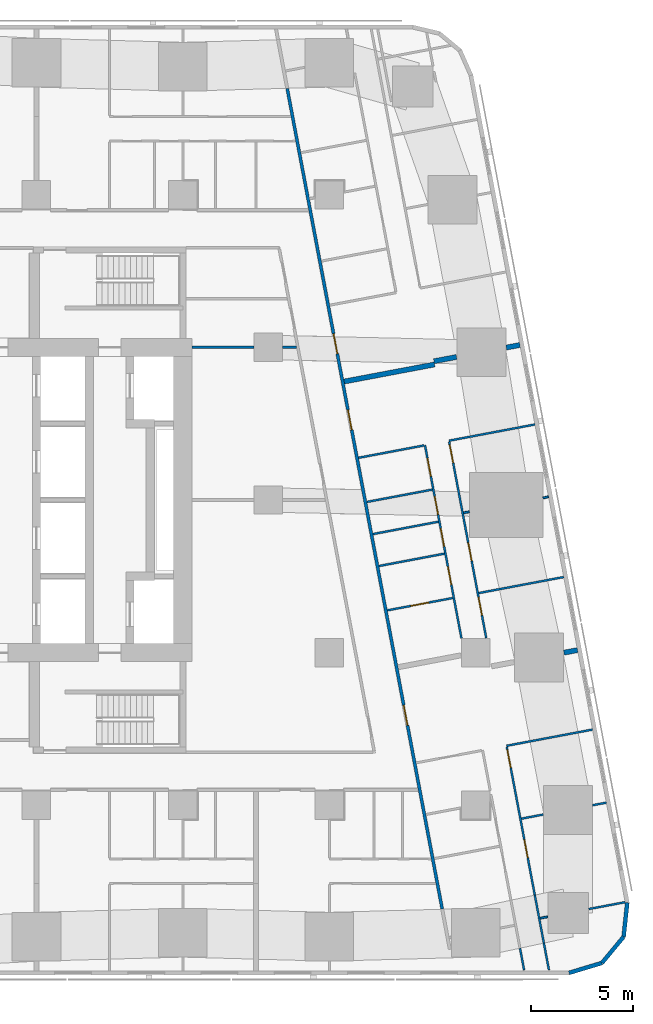
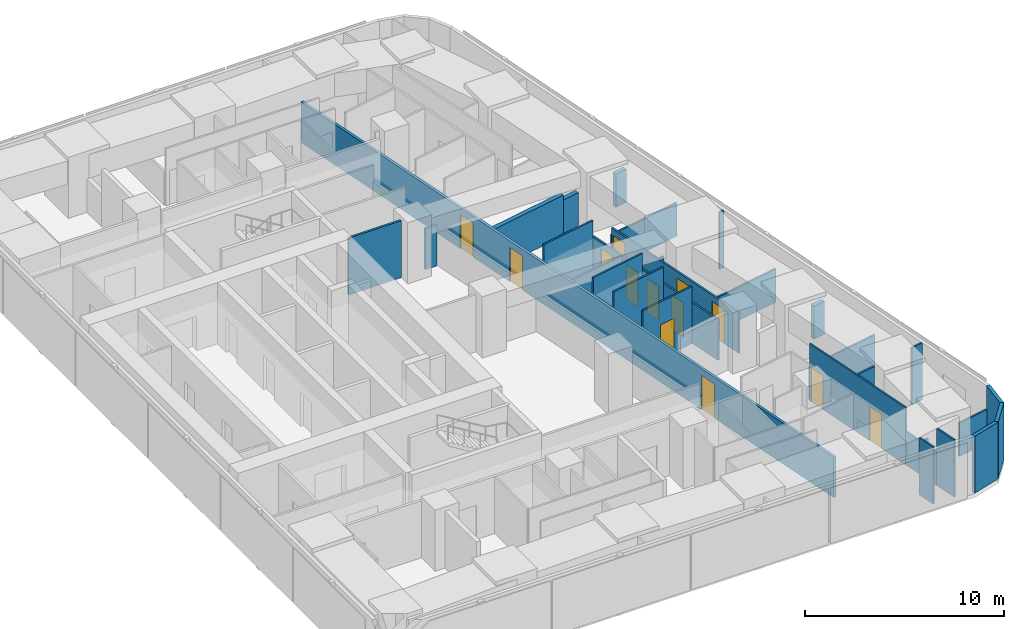
# One storey, part 5 of 10: 30 walls, 13 doors, 13 openings.
"""IFC4 building model written with IfcOpenShell, lengths in metres."""

from ifc_helpers import new_model, si_unit, direction, frame, frame_2d, origin, place, context, subcontext, project, spatial, rectangle, extrude, material, layer, layer_set, type_object, element, fill, save


model = new_model("IFC4")

# Units and contexts
model_context = context("Model", 3, precision=1e-05, world=origin(), true_north=direction((0.0, 1.0)))
body_context = subcontext(model_context, "Body", "Model", "MODEL_VIEW")
ifc_project = project(units=[si_unit("LENGTHUNIT", "METRE"), si_unit("AREAUNIT", "SQUARE_METRE"), si_unit("VOLUMEUNIT", "CUBIC_METRE"), si_unit("PLANEANGLEUNIT", "RADIAN"), si_unit("MASSUNIT", "GRAM", prefix="KILO")], contexts=[model_context])

# Site, building, storey
site_placement = place(None, origin())
site = spatial("IfcSite", under=ifc_project, at=site_placement, CompositionType="ELEMENT")
building_placement = place(site_placement, origin())
building = spatial("IfcBuilding", under=site, at=building_placement, Name="Sheger Commons Tower", CompositionType="ELEMENT")
storey_placement = place(building_placement, frame((0.0, 0.0, 234.949951171875)))
storey = spatial("IfcBuildingStorey", under=building, at=storey_placement, Name="L60", CompositionType="ELEMENT", Elevation=234.949951171875)

# Wall, openings, doors
ifc_material_1 = material(Name="Hollow concrete block masonry, skimmed both sides", Category="masonry")
ifc_layer_1 = layer(ifc_material_1, 0.14990234375)
ifc_layer_set_1 = layer_set([ifc_layer_1], Name="CORRIDOR WALL 150")
wall_type_1 = type_object("IfcWallType", Name="CORRIDOR WALL 150", PredefinedType="SOLIDWALL", material=ifc_layer_set_1)
wall_1_placement = place(storey_placement, frame((33.93310546875, 42.72998046875, 0.0), z_axis=(0.0, 0.0, 1.0), x_axis=(0.185595417643, -0.982626246825, 0.0)))
wall_1 = element("IfcWall", 1, at=wall_1_placement, inside=storey, type_object=wall_type_1, Name="Corridor wall L60", PredefinedType="SOLIDWALL", context=body_context, shape_type="SweptSolid", body=[
    extrude(rectangle(XDim=41.051025390625, YDim=0.14990234375, at=frame_2d((20.525390625, 0.0))), origin(), (0.0, 0.0, 1.0), 2.5),
])
opening_1_placement = place(wall_1_placement, frame((12.26611328125, 0.0, 0.0)))
opening_1 = element("IfcOpeningElement", 2, at=opening_1_placement, cuts=wall_1, Name="Opening D1", PredefinedType="OPENING", context=body_context, shape_type="SweptSolid", body=[
    extrude(rectangle(XDim=1.0, YDim=2.10009765625, at=frame_2d((0.5, 1.050048828125))), frame((0.0, 0.0849609375, 0.0), z_axis=(0.0, -1.0, 0.0), x_axis=(1.0, 0.0, 0.0)), (0.0, 0.0, 1.0), 0.169921875),
])
opening_2_placement = place(wall_1_placement, frame((16.08203125, 0.0, 0.0)))
opening_2 = element("IfcOpeningElement", 3, at=opening_2_placement, cuts=wall_1, Name="Opening D1", PredefinedType="OPENING", context=body_context, shape_type="SweptSolid", body=[
    extrude(rectangle(XDim=1.0, YDim=2.10009765625, at=frame_2d((0.5, 1.050048828125))), frame((0.0, 0.0849609375, 0.0), z_axis=(0.0, -1.0, 0.0), x_axis=(1.0, 0.0, 0.0)), (0.0, 0.0, 1.0), 0.169921875),
])
opening_3_placement = place(wall_1_placement, frame((30.862060546875, 0.0, 0.0)))
opening_3 = element("IfcOpeningElement", 4, at=opening_3_placement, cuts=wall_1, Name="Opening D1", PredefinedType="OPENING", context=body_context, shape_type="SweptSolid", body=[
    extrude(rectangle(XDim=1.0, YDim=2.10009765625, at=frame_2d((0.5, 1.050048828125))), frame((0.0, 0.0849609375, 0.0), z_axis=(0.0, -1.0, 0.0), x_axis=(1.0, 0.0, 0.0)), (0.0, 0.0, 1.0), 0.169921875),
])
ifc_material_2 = material(Name="Steel door set, fire rated", Category="steel")
door_type_1 = type_object("IfcDoorType", Name="FLAT ENTRANCE DOOR 1000x2100", OperationType="NOTDEFINED", PredefinedType="DOOR", material=ifc_material_2)
door_1_placement = place(opening_1_placement, origin())
door_1 = element("IfcDoor", 5, at=door_1_placement, inside=storey, type_object=door_type_1, Name="Flat entrance door", OperationType="SINGLE_SWING_RIGHT", OverallHeight=2.10009765625, OverallWidth=1.0, PredefinedType="DOOR", context=body_context, shape_type="SweptSolid", body=[
    extrude(rectangle(XDim=1.0, YDim=2.10009765625, at=frame_2d((0.5, 1.050048828125))), frame((0.0, 0.02490234375, 0.0), z_axis=(0.0, -1.0, 0.0), x_axis=(1.0, 0.0, 0.0)), (0.0, 0.0, 1.0), 0.050048828125),
])
fill(opening_1, door_1)
door_2_placement = place(opening_2_placement, origin())
door_2 = element("IfcDoor", 6, at=door_2_placement, inside=storey, type_object=door_type_1, Name="Flat entrance door", OperationType="SINGLE_SWING_LEFT", OverallHeight=2.10009765625, OverallWidth=1.0, PredefinedType="DOOR", context=body_context, shape_type="SweptSolid", body=[
    extrude(rectangle(XDim=1.0, YDim=2.10009765625, at=frame_2d((0.5, 1.050048828125))), frame((0.0, 0.02490234375, 0.0), z_axis=(0.0, -1.0, 0.0), x_axis=(1.0, 0.0, 0.0)), (0.0, 0.0, 1.0), 0.050048828125),
])
fill(opening_2, door_2)
door_3_placement = place(opening_3_placement, origin())
door_3 = element("IfcDoor", 7, at=door_3_placement, inside=storey, type_object=door_type_1, Name="Flat entrance door", OperationType="SINGLE_SWING_LEFT", OverallHeight=2.10009765625, OverallWidth=1.0, PredefinedType="DOOR", context=body_context, shape_type="SweptSolid", body=[
    extrude(rectangle(XDim=1.0, YDim=2.10009765625, at=frame_2d((0.5, 1.050048828125))), frame((0.0, 0.02490234375, 0.0), z_axis=(0.0, -1.0, 0.0), x_axis=(1.0, 0.0, 0.0)), (0.0, 0.0, 1.0), 0.050048828125),
])
fill(opening_3, door_3)

# Walls
ifc_material_3 = material(Name="Dense concrete block masonry, plastered both sides (separating wall between flats)", Category="masonry")
ifc_layer_2 = layer(ifc_material_3, 0.25)
ifc_layer_set_2 = layer_set([ifc_layer_2], Name="DEMISING WALL 250")
wall_type_2 = type_object("IfcWallType", Name="DEMISING WALL 250", PredefinedType="SOLIDWALL", material=ifc_layer_set_2)
wall_2_placement = place(storey_placement, frame((45.3720703125, 30.12109375, 0.0), z_axis=(0.0, 0.0, 1.0), x_axis=(-0.982347993061, -0.187062611252, 0.0)))
element("IfcWall", 8, at=wall_2_placement, inside=storey, type_object=wall_type_2, Name="Demising wall L60", PredefinedType="SOLIDWALL", context=body_context, shape_type="SweptSolid", body=[
    extrude(rectangle(XDim=0.679931640625, YDim=0.25, at=frame_2d((0.33984375, 0.0))), origin(), (0.0, 0.0, 1.0), 2.050048828125),
])
wall_3_placement = place(storey_placement, frame((42.256103515625, 29.531982421875, 0.0), z_axis=(0.0, 0.0, 1.0), x_axis=(-0.982549954272, -0.185998890749, 0.0)))
element("IfcWall", 9, at=wall_3_placement, inside=storey, type_object=wall_type_2, Name="Demising wall L60", PredefinedType="SOLIDWALL", context=body_context, shape_type="SweptSolid", body=[
    extrude(rectangle(XDim=1.12890625, YDim=0.25, at=frame_2d((0.564453125, 0.0))), origin(), (0.0, 0.0, 1.0), 2.050048828125),
])
wall_4_placement = place(storey_placement, frame((41.177001953125, 29.1640625, 0.0), z_axis=(0.0, 0.0, 1.0), x_axis=(-0.982612837616, -0.185666398014, 0.0)))
element("IfcWall", 10, at=wall_4_placement, inside=storey, type_object=wall_type_2, Name="Demising wall L60", PredefinedType="SOLIDWALL", context=body_context, shape_type="SweptSolid", body=[
    extrude(rectangle(XDim=4.524658203125, YDim=0.25, at=frame_2d((2.26220703125, 0.0))), origin(), (0.0, 0.0, 1.0), 2.5),
])
wall_5_placement = place(storey_placement, frame((48.2060546875, 15.1201171875, 0.0), z_axis=(0.0, 0.0, 1.0), x_axis=(-0.982610999048, -0.18567612811, 0.0)))
element("IfcWall", 11, at=wall_5_placement, inside=storey, type_object=wall_type_2, Name="Demising wall L60", PredefinedType="SOLIDWALL", context=body_context, shape_type="SweptSolid", body=[
    extrude(rectangle(XDim=0.6796875, YDim=0.25, at=frame_2d((0.33984375, 0.0))), origin(), (0.0, 0.0, 1.0), 2.050048828125),
])
ifc_material_4 = material(Name="Rendered concrete block masonry, dark grey", Category="masonry")
ifc_layer_3 = layer(ifc_material_4, 0.199951171875)
ifc_layer_set_3 = layer_set([ifc_layer_3], Name="FACADE WALL 200")
wall_type_3 = type_object("IfcWallType", Name="FACADE WALL 200", PredefinedType="SOLIDWALL", material=ifc_layer_set_3)
wall_6_placement = place(storey_placement, frame((47.791015625, -0.75, 0.0), z_axis=(0.0, 0.0, 1.0), x_axis=(0.957455232626, 0.288581838509, 0.0)))
element("IfcWall", 12, at=wall_6_placement, inside=storey, type_object=wall_type_3, Name="Facade wall L60", PredefinedType="SOLIDWALL", context=body_context, shape_type="SweptSolid", body=[
    extrude(rectangle(XDim=1.687744140625, YDim=0.199951171875, at=frame_2d((0.84375, 0.0))), origin(), (0.0, 0.0, 1.0), 3.5),
])
wall_7_placement = place(storey_placement, frame((49.406982421875, -0.262939453125, 0.0), z_axis=(0.0, 0.0, 1.0), x_axis=(0.638042593423, 0.770001070764, 0.0)))
element("IfcWall", 13, at=wall_7_placement, inside=storey, type_object=wall_type_3, Name="Facade wall L60", PredefinedType="SOLIDWALL", context=body_context, shape_type="SweptSolid", body=[
    extrude(rectangle(XDim=1.672607421875, YDim=0.199951171875, at=frame_2d((0.83642578125, 0.0))), origin(), (0.0, 0.0, 1.0), 3.5),
])
wall_8_placement = place(storey_placement, frame((50.47412109375, 1.02490234375, 0.0), z_axis=(0.0, 0.0, 1.0), x_axis=(0.106047815515, 0.994361031429, 0.0)))
element("IfcWall", 14, at=wall_8_placement, inside=storey, type_object=wall_type_3, Name="Facade wall L60", PredefinedType="SOLIDWALL", context=body_context, shape_type="SweptSolid", body=[
    extrude(rectangle(XDim=1.6875, YDim=0.199951171875, at=frame_2d((0.84375, 0.0))), origin(), (0.0, 0.0, 1.0), 3.5),
])

# Wall, openings, doors
ifc_material_5 = material(Name="Gypsum board on steel studs", Category="steel")
ifc_layer_4 = layer(ifc_material_5, 0.10009765625)
ifc_layer_set_4 = layer_set([ifc_layer_4], Name="PARTITION 100")
wall_type_4 = type_object("IfcWallType", Name="PARTITION 100", PredefinedType="PARTITIONING", material=ifc_layer_set_4)
wall_9_placement = place(storey_placement, frame((41.89404296875, 25.365966796875, 0.0), z_axis=(0.0, 0.0, 1.0), x_axis=(0.185612905165, -0.982622943675, 0.0)))
wall_9 = element("IfcWall", 15, at=wall_9_placement, inside=storey, type_object=wall_type_4, Name="Partition L60", PredefinedType="PARTITIONING", context=body_context, shape_type="SweptSolid", body=[
    extrude(rectangle(XDim=9.82666015625, YDim=0.10009765625, at=frame_2d((4.913330078125, 0.0))), origin(), (0.0, 0.0, 1.0), 2.5),
])
opening_4_placement = place(wall_9_placement, frame((0.15087890625, 0.0, 0.0)))
opening_4 = element("IfcOpeningElement", 16, at=opening_4_placement, cuts=wall_9, Name="Opening D2", PredefinedType="OPENING", context=body_context, shape_type="SweptSolid", body=[
    extrude(rectangle(XDim=0.89990234375, YDim=2.10009765625, at=frame_2d((0.449951171875, 1.050048828125))), frame((0.0, 0.06005859375, 0.0), z_axis=(0.0, -1.0, 0.0), x_axis=(1.0, 0.0, 0.0)), (0.0, 0.0, 1.0), 0.1201171875),
])
opening_5_placement = place(wall_9_placement, frame((5.050048828125, 0.0, 0.0)))
opening_5 = element("IfcOpeningElement", 17, at=opening_5_placement, cuts=wall_9, Name="Opening D2", PredefinedType="OPENING", context=body_context, shape_type="SweptSolid", body=[
    extrude(rectangle(XDim=0.89990234375, YDim=2.10009765625, at=frame_2d((0.449951171875, 1.050048828125))), frame((0.0, 0.06005859375, 0.0), z_axis=(0.0, -1.0, 0.0), x_axis=(1.0, 0.0, 0.0)), (0.0, 0.0, 1.0), 0.1201171875),
])
opening_6_placement = place(wall_9_placement, frame((7.782958984375, 0.0, 0.0)))
opening_6 = element("IfcOpeningElement", 18, at=opening_6_placement, cuts=wall_9, Name="Opening D2", PredefinedType="OPENING", context=body_context, shape_type="SweptSolid", body=[
    extrude(rectangle(XDim=0.89990234375, YDim=2.10009765625, at=frame_2d((0.449951171875, 1.050048828125))), frame((0.0, 0.06005859375, 0.0), z_axis=(0.0, -1.0, 0.0), x_axis=(1.0, 0.0, 0.0)), (0.0, 0.0, 1.0), 0.1201171875),
])
ifc_material_6 = material(Name="Timber door set", Category="wood")
door_type_2 = type_object("IfcDoorType", Name="INTERNAL DOOR 900x2100", OperationType="NOTDEFINED", PredefinedType="DOOR", material=ifc_material_6)
door_4_placement = place(opening_4_placement, origin())
door_4 = element("IfcDoor", 19, at=door_4_placement, inside=storey, type_object=door_type_2, Name="Main bedroom door", OperationType="SINGLE_SWING_LEFT", OverallHeight=2.10009765625, OverallWidth=0.89990234375, PredefinedType="DOOR", context=body_context, shape_type="SweptSolid", body=[
    extrude(rectangle(XDim=0.89990234375, YDim=2.10009765625, at=frame_2d((0.449951171875, 1.050048828125))), frame((0.0, 0.02490234375, 0.0), z_axis=(0.0, -1.0, 0.0), x_axis=(1.0, 0.0, 0.0)), (0.0, 0.0, 1.0), 0.050048828125),
])
fill(opening_4, door_4)
door_5_placement = place(opening_5_placement, origin())
door_5 = element("IfcDoor", 20, at=door_5_placement, inside=storey, type_object=door_type_2, Name="Bedroom 2 door", OperationType="SINGLE_SWING_LEFT", OverallHeight=2.10009765625, OverallWidth=0.89990234375, PredefinedType="DOOR", context=body_context, shape_type="SweptSolid", body=[
    extrude(rectangle(XDim=0.89990234375, YDim=2.10009765625, at=frame_2d((0.449951171875, 1.050048828125))), frame((0.0, 0.02490234375, 0.0), z_axis=(0.0, -1.0, 0.0), x_axis=(1.0, 0.0, 0.0)), (0.0, 0.0, 1.0), 0.050048828125),
])
fill(opening_5, door_5)
door_6_placement = place(opening_6_placement, origin())
door_6 = element("IfcDoor", 21, at=door_6_placement, inside=storey, type_object=door_type_2, Name="Bedroom 3 door", OperationType="SINGLE_SWING_LEFT", OverallHeight=2.10009765625, OverallWidth=0.89990234375, PredefinedType="DOOR", context=body_context, shape_type="SweptSolid", body=[
    extrude(rectangle(XDim=0.89990234375, YDim=2.10009765625, at=frame_2d((0.449951171875, 1.050048828125))), frame((0.0, 0.02490234375, 0.0), z_axis=(0.0, -1.0, 0.0), x_axis=(1.0, 0.0, 0.0)), (0.0, 0.0, 1.0), 0.050048828125),
])
fill(opening_6, door_6)

wall_10_placement = place(storey_placement, frame((40.7060546875, 25.19189453125, 0.0), z_axis=(0.0, 0.0, 1.0), x_axis=(0.185629824463, -0.982619747547, 0.0)))
wall_10 = element("IfcWall", 22, at=wall_10_placement, inside=storey, type_object=wall_type_4, Name="Partition L60", PredefinedType="PARTITIONING", context=body_context, shape_type="SweptSolid", body=[
    extrude(rectangle(XDim=9.658935546875, YDim=0.10009765625, at=frame_2d((4.82958984375, 0.0))), origin(), (0.0, 0.0, 1.0), 2.5),
])
opening_7_placement = place(wall_10_placement, frame((0.655029296875, 0.0, 0.0)))
opening_7 = element("IfcOpeningElement", 23, at=opening_7_placement, cuts=wall_10, Name="Opening D2", PredefinedType="OPENING", context=body_context, shape_type="SweptSolid", body=[
    extrude(rectangle(XDim=0.89990234375, YDim=2.10009765625, at=frame_2d((0.449951171875, 1.050048828125))), frame((0.0, 0.06005859375, 0.0), z_axis=(0.0, -1.0, 0.0), x_axis=(1.0, 0.0, 0.0)), (0.0, 0.0, 1.0), 0.1201171875),
])
opening_8_placement = place(wall_10_placement, frame((4.166015625, 0.0, 0.0)))
opening_8 = element("IfcOpeningElement", 24, at=opening_8_placement, cuts=wall_10, Name="Opening D2", PredefinedType="OPENING", context=body_context, shape_type="SweptSolid", body=[
    extrude(rectangle(XDim=0.89990234375, YDim=2.10009765625, at=frame_2d((0.449951171875, 1.050048828125))), frame((0.0, 0.06005859375, 0.0), z_axis=(0.0, -1.0, 0.0), x_axis=(1.0, 0.0, 0.0)), (0.0, 0.0, 1.0), 0.1201171875),
])
opening_9_placement = place(wall_10_placement, frame((2.56298828125, 0.0, 0.0)))
opening_9 = element("IfcOpeningElement", 25, at=opening_9_placement, cuts=wall_10, Name="Opening D2", PredefinedType="OPENING", context=body_context, shape_type="SweptSolid", body=[
    extrude(rectangle(XDim=0.89990234375, YDim=2.10009765625, at=frame_2d((0.449951171875, 1.050048828125))), frame((0.0, 0.06005859375, 0.0), z_axis=(0.0, -1.0, 0.0), x_axis=(1.0, 0.0, 0.0)), (0.0, 0.0, 1.0), 0.1201171875),
])
opening_10_placement = place(wall_10_placement, frame((6.073974609375, 0.0, 0.0)))
opening_10 = element("IfcOpeningElement", 26, at=opening_10_placement, cuts=wall_10, Name="Opening D2", PredefinedType="OPENING", context=body_context, shape_type="SweptSolid", body=[
    extrude(rectangle(XDim=0.89990234375, YDim=2.10009765625, at=frame_2d((0.449951171875, 1.050048828125))), frame((0.0, 0.06005859375, 0.0), z_axis=(0.0, -1.0, 0.0), x_axis=(1.0, 0.0, 0.0)), (0.0, 0.0, 1.0), 0.1201171875),
])
door_7_placement = place(opening_7_placement, origin())
door_7 = element("IfcDoor", 27, at=door_7_placement, inside=storey, type_object=door_type_2, Name="Bathroom door", OperationType="SINGLE_SWING_RIGHT", OverallHeight=2.10009765625, OverallWidth=0.89990234375, PredefinedType="DOOR", context=body_context, shape_type="SweptSolid", body=[
    extrude(rectangle(XDim=0.89990234375, YDim=2.10009765625, at=frame_2d((0.449951171875, 1.050048828125))), frame((0.0, 0.02490234375, 0.0), z_axis=(0.0, -1.0, 0.0), x_axis=(1.0, 0.0, 0.0)), (0.0, 0.0, 1.0), 0.050048828125),
])
fill(opening_7, door_7)
door_8_placement = place(opening_8_placement, origin())
door_8 = element("IfcDoor", 28, at=door_8_placement, inside=storey, type_object=door_type_2, Name="Shower room door", OperationType="SINGLE_SWING_LEFT", OverallHeight=2.10009765625, OverallWidth=0.89990234375, PredefinedType="DOOR", context=body_context, shape_type="SweptSolid", body=[
    extrude(rectangle(XDim=0.89990234375, YDim=2.10009765625, at=frame_2d((0.449951171875, 1.050048828125))), frame((0.0, 0.02490234375, 0.0), z_axis=(0.0, -1.0, 0.0), x_axis=(1.0, 0.0, 0.0)), (0.0, 0.0, 1.0), 0.050048828125),
])
fill(opening_8, door_8)
door_9_placement = place(opening_9_placement, origin())
door_9 = element("IfcDoor", 29, at=door_9_placement, inside=storey, type_object=door_type_2, Name="Store door", OperationType="SINGLE_SWING_LEFT", OverallHeight=2.10009765625, OverallWidth=0.89990234375, PredefinedType="DOOR", context=body_context, shape_type="SweptSolid", body=[
    extrude(rectangle(XDim=0.89990234375, YDim=2.10009765625, at=frame_2d((0.449951171875, 1.050048828125))), frame((0.0, 0.02490234375, 0.0), z_axis=(0.0, -1.0, 0.0), x_axis=(1.0, 0.0, 0.0)), (0.0, 0.0, 1.0), 0.050048828125),
])
fill(opening_9, door_9)
door_10_placement = place(opening_10_placement, origin())
door_10 = element("IfcDoor", 30, at=door_10_placement, inside=storey, type_object=door_type_2, Name="Store door", OperationType="SINGLE_SWING_RIGHT", OverallHeight=2.10009765625, OverallWidth=0.89990234375, PredefinedType="DOOR", context=body_context, shape_type="SweptSolid", body=[
    extrude(rectangle(XDim=0.89990234375, YDim=2.10009765625, at=frame_2d((0.449951171875, 1.050048828125))), frame((0.0, 0.02490234375, 0.0), z_axis=(0.0, -1.0, 0.0), x_axis=(1.0, 0.0, 0.0)), (0.0, 0.0, 1.0), 0.050048828125),
])
fill(opening_10, door_10)

# Walls
wall_11_placement = place(storey_placement, frame((46.110107421875, 26.212890625, 0.0), z_axis=(0.0, 0.0, 1.0), x_axis=(-0.982633535512, -0.185556823879, 0.0)))
element("IfcWall", 31, at=wall_11_placement, inside=storey, type_object=wall_type_4, Name="Partition L60", PredefinedType="PARTITIONING", context=body_context, shape_type="SweptSolid", body=[
    extrude(rectangle(XDim=4.2998046875, YDim=0.10009765625, at=frame_2d((2.14990234375, 0.0))), origin(), (0.0, 0.0, 1.0), 2.050048828125),
])
wall_12_placement = place(storey_placement, frame((46.781982421875, 22.656982421875, 0.0), z_axis=(0.0, 0.0, 1.0), x_axis=(-0.982574553168, -0.185868898601, 0.0)))
element("IfcWall", 32, at=wall_12_placement, inside=storey, type_object=wall_type_4, Name="Partition L60", PredefinedType="PARTITIONING", context=body_context, shape_type="SweptSolid", body=[
    extrude(rectangle(XDim=0.27978515625, YDim=0.10009765625, at=frame_2d((0.139892578125, 0.0))), origin(), (0.0, 0.0, 1.0), 3.5),
])
wall_13_placement = place(storey_placement, frame((42.886962890625, 21.9208984375, 0.0), z_axis=(0.0, 0.0, 1.0), x_axis=(-0.982688058078, -0.185267861514, 0.0)))
element("IfcWall", 33, at=wall_13_placement, inside=storey, type_object=wall_type_4, Name="Partition L60", PredefinedType="PARTITIONING", context=body_context, shape_type="SweptSolid", body=[
    extrude(rectangle(XDim=0.285888671875, YDim=0.10009765625, at=frame_2d((0.14306640625, 0.0))), origin(), (0.0, 0.0, 1.0), 2.5),
])
wall_14_placement = place(storey_placement, frame((47.527099609375, 18.7119140625, 0.0), z_axis=(0.0, 0.0, 1.0), x_axis=(-0.982665405803, -0.185387972203, 0.0)))
element("IfcWall", 34, at=wall_14_placement, inside=storey, type_object=wall_type_4, Name="Partition L60", PredefinedType="PARTITIONING", context=body_context, shape_type="SweptSolid", body=[
    extrude(rectangle(XDim=4.249755859375, YDim=0.10009765625, at=frame_2d((2.125, 0.0))), origin(), (0.0, 0.0, 1.0), 2.050048828125),
])
for number, where, z_axis, x_axis, name in (
    (35, (40.656982421875, 25.18310546875, 0.0), (0.0, 0.0, 1.0), (-0.982607026909, -0.185697147715, 0.0), "Partition L60"),
    (36, (41.364990234375, 21.43310546875, 0.0), (0.0, 0.0, 1.0), (-0.982607026909, -0.185697147715, 0.0), "Partition L60"),
):
    element("IfcWall", number, at=place(storey_placement, frame(where, z_axis=z_axis, x_axis=x_axis)), inside=storey, type_object=wall_type_4, Name=name, PredefinedType="PARTITIONING", context=body_context, shape_type="SweptSolid", body=[
        extrude(rectangle(XDim=3.27490234375, YDim=0.10009765625, at=frame_2d((1.637451171875, 0.0))), origin(), (0.0, 0.0, 1.0), 3.5),
    ])

# Wall, opening, door
wall_15_placement = place(storey_placement, frame((42.072998046875, 17.681884765625, 0.0), z_axis=(0.0, 0.0, 1.0), x_axis=(-0.982620626894, -0.185625169636, 0.0)))
wall_15 = element("IfcWall", 37, at=wall_15_placement, inside=storey, type_object=wall_type_4, Name="Partition L60", PredefinedType="PARTITIONING", context=body_context, shape_type="SweptSolid", body=[
    extrude(rectangle(XDim=3.27490234375, YDim=0.10009765625, at=frame_2d((1.637451171875, 0.0))), origin(), (0.0, 0.0, 1.0), 3.5),
])
opening_11_placement = place(wall_15_placement, frame((1.199951171875, 0.0, 0.0)))
opening_11 = element("IfcOpeningElement", 38, at=opening_11_placement, cuts=wall_15, Name="Opening D2", PredefinedType="OPENING", context=body_context, shape_type="SweptSolid", body=[
    extrude(rectangle(XDim=0.89990234375, YDim=2.10009765625, at=frame_2d((0.449951171875, 1.050048828125))), frame((0.0, 0.06005859375, 0.0), z_axis=(0.0, -1.0, 0.0), x_axis=(1.0, 0.0, 0.0)), (0.0, 0.0, 1.0), 0.1201171875),
])
door_11_placement = place(opening_11_placement, origin())
door_11 = element("IfcDoor", 39, at=door_11_placement, inside=storey, type_object=door_type_2, Name="Store door", OperationType="SINGLE_SWING_LEFT", OverallHeight=2.10009765625, OverallWidth=0.89990234375, PredefinedType="DOOR", context=body_context, shape_type="SweptSolid", body=[
    extrude(rectangle(XDim=0.89990234375, YDim=2.10009765625, at=frame_2d((0.449951171875, 1.050048828125))), frame((0.0, 0.02490234375, 0.0), z_axis=(0.0, -1.0, 0.0), x_axis=(1.0, 0.0, 0.0)), (0.0, 0.0, 1.0), 0.050048828125),
])
fill(opening_11, door_11)

# Walls
wall_16_placement = place(storey_placement, frame((41.06689453125, 23.010986328125, 0.0), z_axis=(0.0, 0.0, 1.0), x_axis=(-0.982618057925, -0.185638768151, 0.0)))
element("IfcWall", 40, at=wall_16_placement, inside=storey, type_object=wall_type_4, Name="Partition L60", PredefinedType="PARTITIONING", context=body_context, shape_type="SweptSolid", body=[
    extrude(rectangle(XDim=3.274658203125, YDim=0.10009765625, at=frame_2d((1.63720703125, 0.0))), origin(), (0.0, 0.0, 1.0), 2.5),
])
wall_17_placement = place(storey_placement, frame((41.662109375, 19.861083984375, 0.0), z_axis=(0.0, 0.0, 1.0), x_axis=(-0.982607026909, -0.185697147715, 0.0)))
element("IfcWall", 41, at=wall_17_placement, inside=storey, type_object=wall_type_4, Name="Partition L60", PredefinedType="PARTITIONING", context=body_context, shape_type="SweptSolid", body=[
    extrude(rectangle(XDim=3.27490234375, YDim=0.10009765625, at=frame_2d((1.637451171875, 0.0))), origin(), (0.0, 0.0, 1.0), 3.5),
])

# Wall, openings, doors
wall_18_placement = place(storey_placement, frame((44.72705078125, 10.365966796875, 0.0), z_axis=(0.0, 0.0, 1.0), x_axis=(0.185678775129, -0.982610498858, 0.0)))
wall_18 = element("IfcWall", 42, at=wall_18_placement, inside=storey, type_object=wall_type_4, Name="Partition L60", PredefinedType="PARTITIONING", context=body_context, shape_type="SweptSolid", body=[
    extrude(rectangle(XDim=7.421142578125, YDim=0.10009765625, at=frame_2d((3.71044921875, 0.0))), origin(), (0.0, 0.0, 1.0), 3.5),
])
opening_12_placement = place(wall_18_placement, frame((0.15087890625, 0.0, 0.0)))
opening_12 = element("IfcOpeningElement", 43, at=opening_12_placement, cuts=wall_18, Name="Opening D2", PredefinedType="OPENING", context=body_context, shape_type="SweptSolid", body=[
    extrude(rectangle(XDim=0.89990234375, YDim=2.10009765625, at=frame_2d((0.449951171875, 1.050048828125))), frame((0.0, 0.06005859375, 0.0), z_axis=(0.0, -1.0, 0.0), x_axis=(1.0, 0.0, 0.0)), (0.0, 0.0, 1.0), 0.1201171875),
])
opening_13_placement = place(wall_18_placement, frame((4.64990234375, 0.0, 0.0)))
opening_13 = element("IfcOpeningElement", 44, at=opening_13_placement, cuts=wall_18, Name="Opening D2", PredefinedType="OPENING", context=body_context, shape_type="SweptSolid", body=[
    extrude(rectangle(XDim=0.89990234375, YDim=2.10009765625, at=frame_2d((0.449951171875, 1.050048828125))), frame((0.0, 0.06005859375, 0.0), z_axis=(0.0, -1.0, 0.0), x_axis=(1.0, 0.0, 0.0)), (0.0, 0.0, 1.0), 0.1201171875),
])
door_12_placement = place(opening_12_placement, origin())
door_12 = element("IfcDoor", 45, at=door_12_placement, inside=storey, type_object=door_type_2, Name="Main bedroom door", OperationType="SINGLE_SWING_LEFT", OverallHeight=2.10009765625, OverallWidth=0.89990234375, PredefinedType="DOOR", context=body_context, shape_type="SweptSolid", body=[
    extrude(rectangle(XDim=0.89990234375, YDim=2.10009765625, at=frame_2d((0.449951171875, 1.050048828125))), frame((0.0, 0.02490234375, 0.0), z_axis=(0.0, -1.0, 0.0), x_axis=(1.0, 0.0, 0.0)), (0.0, 0.0, 1.0), 0.050048828125),
])
fill(opening_12, door_12)
door_13_placement = place(opening_13_placement, origin())
door_13 = element("IfcDoor", 46, at=door_13_placement, inside=storey, type_object=door_type_2, Name="Bedroom 2 door", OperationType="SINGLE_SWING_LEFT", OverallHeight=2.10009765625, OverallWidth=0.89990234375, PredefinedType="DOOR", context=body_context, shape_type="SweptSolid", body=[
    extrude(rectangle(XDim=0.89990234375, YDim=2.10009765625, at=frame_2d((0.449951171875, 1.050048828125))), frame((0.0, 0.02490234375, 0.0), z_axis=(0.0, -1.0, 0.0), x_axis=(1.0, 0.0, 0.0)), (0.0, 0.0, 1.0), 0.050048828125),
])
fill(opening_13, door_13)

# Walls
wall_19_placement = place(storey_placement, frame((46.10498046875, 3.073974609375, 0.0), z_axis=(0.0, 0.0, 1.0), x_axis=(0.185631845838, -0.982619365681, 0.0)))
element("IfcWall", 47, at=wall_19_placement, inside=storey, type_object=wall_type_4, Name="Partition L60", PredefinedType="PARTITIONING", context=body_context, shape_type="SweptSolid", body=[
    extrude(rectangle(XDim=2.40283203125, YDim=0.10009765625, at=frame_2d((1.201416015625, 0.0))), origin(), (0.0, 0.0, 1.0), 2.050048828125),
])
wall_20_placement = place(storey_placement, frame((46.551025390625, 0.712890625, 0.0), z_axis=(0.0, 0.0, 1.0), x_axis=(0.185407859198, -0.982661653748, 0.0)))
element("IfcWall", 48, at=wall_20_placement, inside=storey, type_object=wall_type_4, Name="Partition L60", PredefinedType="PARTITIONING", context=body_context, shape_type="SweptSolid", body=[
    extrude(rectangle(XDim=1.343017578125, YDim=0.10009765625, at=frame_2d((0.67138671875, 0.0))), origin(), (0.0, 0.0, 1.0), 3.5),
])
wall_21_placement = place(storey_placement, frame((45.376953125, 0.4619140625, 0.0), z_axis=(0.0, 0.0, 1.0), x_axis=(0.185513480919, -0.982641719243, 0.0)))
element("IfcWall", 49, at=wall_21_placement, inside=storey, type_object=wall_type_4, Name="Partition L60", PredefinedType="PARTITIONING", context=body_context, shape_type="SweptSolid", body=[
    extrude(rectangle(XDim=1.094970703125, YDim=0.10009765625, at=frame_2d((0.54736328125, 0.0))), origin(), (0.0, 0.0, 1.0), 3.5),
])
wall_22_placement = place(storey_placement, frame((48.943115234375, 11.212890625, 0.0), z_axis=(0.0, 0.0, 1.0), x_axis=(-0.982633535512, -0.185556823879, 0.0)))
element("IfcWall", 50, at=wall_22_placement, inside=storey, type_object=wall_type_4, Name="Partition L60", PredefinedType="PARTITIONING", context=body_context, shape_type="SweptSolid", body=[
    extrude(rectangle(XDim=4.2998046875, YDim=0.10009765625, at=frame_2d((2.14990234375, 0.0))), origin(), (0.0, 0.0, 1.0), 2.050048828125),
])
wall_23_placement = place(storey_placement, frame((49.6220703125, 7.6201171875, 0.0), z_axis=(0.0, 0.0, 1.0), x_axis=(-0.98254419619, -0.186029305578, 0.0)))
element("IfcWall", 51, at=wall_23_placement, inside=storey, type_object=wall_type_4, Name="Partition L60", PredefinedType="PARTITIONING", context=body_context, shape_type="SweptSolid", body=[
    extrude(rectangle(XDim=0.6943359375, YDim=0.10009765625, at=frame_2d((0.34716796875, 0.0))), origin(), (0.0, 0.0, 1.0), 3.5),
])
wall_24_placement = place(storey_placement, frame((46.52001953125, 7.034912109375, 0.0), z_axis=(0.0, 0.0, 1.0), x_axis=(-0.982620932907, -0.185623549726, 0.0)))
element("IfcWall", 52, at=wall_24_placement, inside=storey, type_object=wall_type_4, Name="Partition L60", PredefinedType="PARTITIONING", context=body_context, shape_type="SweptSolid", body=[
    extrude(rectangle(XDim=1.093017578125, YDim=0.10009765625, at=frame_2d((0.54638671875, 0.0))), origin(), (0.0, 0.0, 1.0), 3.5),
])
wall_25_placement = place(storey_placement, frame((50.547119140625, 2.72607421875, 0.0), z_axis=(0.0, 0.0, 1.0), x_axis=(-0.982603988143, -0.185713226471, 0.0)))
element("IfcWall", 53, at=wall_25_placement, inside=storey, type_object=wall_type_4, Name="Partition L60", PredefinedType="PARTITIONING", context=body_context, shape_type="SweptSolid", body=[
    extrude(rectangle(XDim=1.82080078125, YDim=0.10009765625, at=frame_2d((0.910400390625, 0.0))), origin(), (0.0, 0.0, 1.0), 2.050048828125),
])
wall_26_placement = place(storey_placement, frame((46.738037109375, 2.006103515625, 0.0), z_axis=(0.0, 0.0, 1.0), x_axis=(-0.982820466874, -0.184564161994, 0.0)))
element("IfcWall", 54, at=wall_26_placement, inside=storey, type_object=wall_type_4, Name="Partition L60", PredefinedType="PARTITIONING", context=body_context, shape_type="SweptSolid", body=[
    extrude(rectangle(XDim=0.374267578125, YDim=0.10009765625, at=frame_2d((0.18701171875, 0.0))), origin(), (0.0, 0.0, 1.0), 2.050048828125),
])
ifc_material_7 = material(Name="Gypsum board on steel studs, two layers each side, fire rated", Category="steel")
ifc_layer_5 = layer(ifc_material_7, 0.125)
ifc_layer_set_5 = layer_set([ifc_layer_5], Name="SERVICE WALL 125")
wall_type_5 = type_object("IfcWallType", Name="SERVICE WALL 125", PredefinedType="PARTITIONING", material=ifc_layer_set_5)
wall_27_placement = place(storey_placement, frame((29.25, 30.0, 0.0), z_axis=(0.0, 0.0, 1.0), x_axis=(1.0, 0.0, 0.0)))
element("IfcWall", 55, at=wall_27_placement, inside=storey, type_object=wall_type_5, Name="Service room wall L60", PredefinedType="PARTITIONING", context=body_context, shape_type="SweptSolid", body=[
    extrude(rectangle(XDim=3.049072265625, YDim=0.125, at=frame_2d((1.5244140625, 0.0))), origin(), (0.0, 0.0, 1.0), 3.5),
])
wall_28_placement = place(storey_placement, frame((33.700927734375, 30.0, 0.0), z_axis=(0.0, 0.0, 1.0), x_axis=(1.0, 0.0, 0.0)))
element("IfcWall", 56, at=wall_28_placement, inside=storey, type_object=wall_type_5, Name="Service room wall L60", PredefinedType="PARTITIONING", context=body_context, shape_type="SweptSolid", body=[
    extrude(rectangle(XDim=0.677978515625, YDim=0.125, at=frame_2d((0.3388671875, 0.0))), origin(), (0.0, 0.0, 1.0), 2.5),
])

save(model, "model.ifc")
